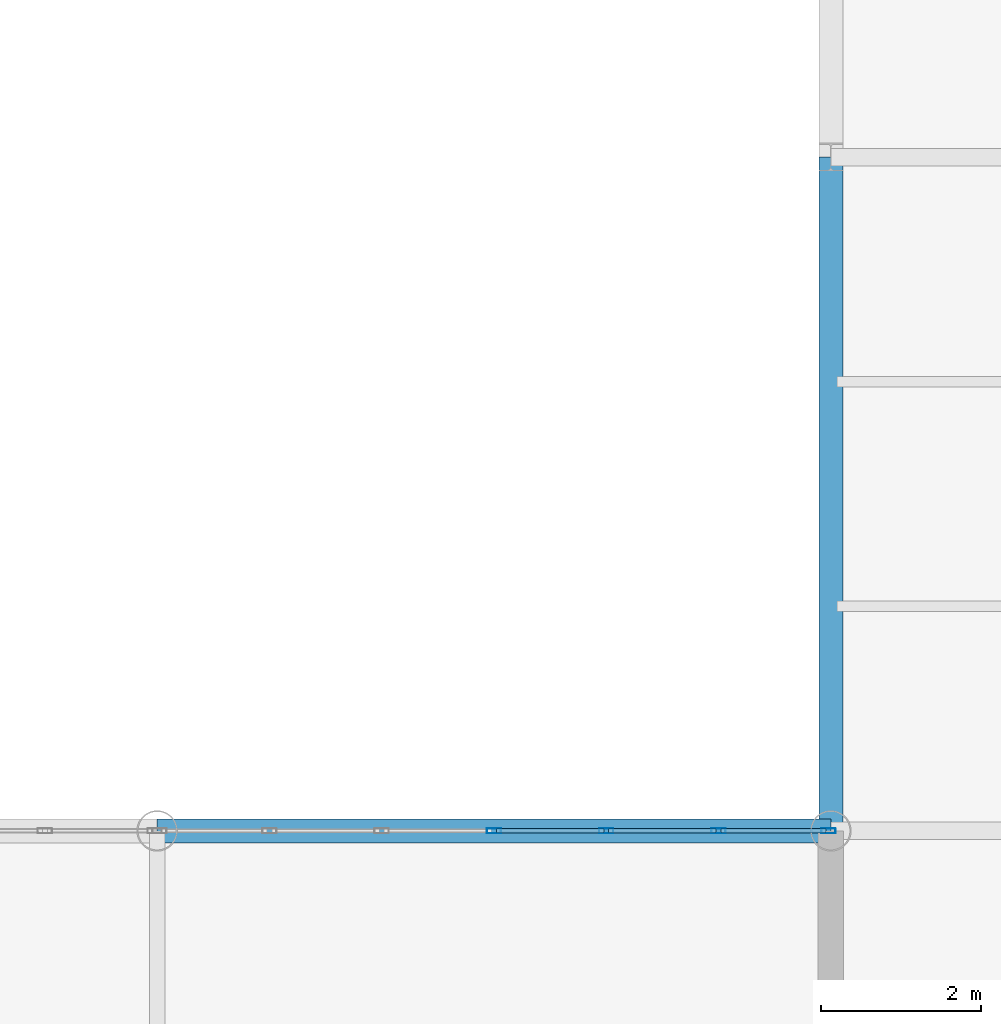
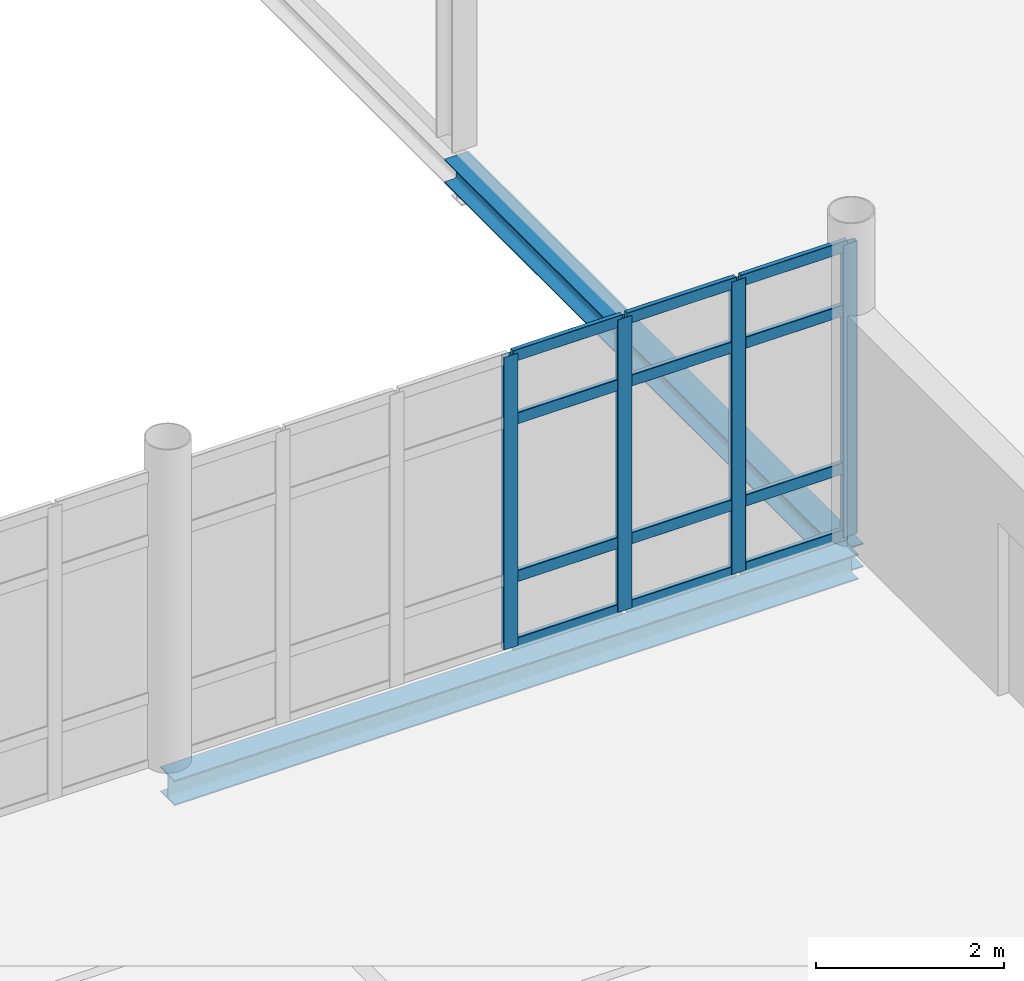
# One storey, part 71 of 163: 16 members, 2 beams, 1 element without a shape of its own.
"""IFC4 building model written with IfcOpenShell, lengths in metres."""

import ifcopenshell
import ifcopenshell.guid

model = None  # the IFC model being written
_history = None  # IfcOwnerHistory: only IFC2X3 demands one
_inside = {}  # id of a spatial element -> (the spatial element, [elements in it])
_under = {}  # id of a project, library or spatial element -> (it, [spatial elements below it])
_declared = {}  # id of a project -> (the project, [libraries it declares])
_typed = {}  # id of a type object -> (the type object, [elements of that type])
_made_of = {}  # id of a material, layer set ... -> (it, [elements and type objects made of it])


def new_model(schema):
    """Start an empty IFC model of exactly this schema.

    Asked for "IFC4X3", IfcOpenShell would pick the latest addendum, in which some entities
    have other attributes; the version numbers below select the first issue.
    IFC2X3 requires an IfcOwnerHistory on every rooted entity: one is made here for all.
    """
    global model, _history
    if schema == "IFC4X3":
        model = ifcopenshell.file(schema_version=(4, 3, 0, 0))
    else:
        model = ifcopenshell.file(schema=schema)
    _inside.clear()
    _under.clear()
    _declared.clear()
    _typed.clear()
    _made_of.clear()
    _history = None
    if model.schema == "IFC2X3":
        org = make("IfcOrganization", Name="unknown")
        user = make(
            "IfcPersonAndOrganization",
            ThePerson=make("IfcPerson", FamilyName="unknown"),
            TheOrganization=org,
        )
        app = make(
            "IfcApplication",
            ApplicationDeveloper=org,
            Version="unknown",
            ApplicationFullName="unknown",
            ApplicationIdentifier="unknown",
        )
        _history = make(
            "IfcOwnerHistory",
            OwningUser=user,
            OwningApplication=app,
            ChangeAction="ADDED",
            CreationDate=0,
        )
    return model


def make(cls, **values):
    """One entity of the class cls with the attributes given. An attribute that is None is left unset."""
    return model.create_entity(
        cls, **{name: value for name, value in values.items() if value is not None}
    )


def rooted(cls, **values):
    """An entity with a GlobalId (a new one), such as an element, a storey or a relation."""
    return make(cls, GlobalId=ifcopenshell.guid.new(), OwnerHistory=_history, **values)


def si_unit(unit_type, name, prefix=None):
    """IfcSIUnit, for example si_unit("LENGTHUNIT", "METRE", prefix="MILLI")."""
    return make("IfcSIUnit", UnitType=unit_type, Prefix=prefix, Name=name)


def assignment(units):
    """IfcUnitAssignment: the units of a project."""
    return None if units is None else make("IfcUnitAssignment", Units=units)


def point(xyz):
    """IfcCartesianPoint."""
    return None if xyz is None else make("IfcCartesianPoint", Coordinates=xyz)


def direction(xyz):
    """IfcDirection."""
    return None if xyz is None else make("IfcDirection", DirectionRatios=xyz)


def frame(location, z_axis=None, x_axis=None):
    """IfcAxis2Placement3D, a coordinate frame: its origin and axes. An axis left out is left unset."""
    return make(
        "IfcAxis2Placement3D",
        Location=point(location),
        Axis=direction(z_axis),
        RefDirection=direction(x_axis),
    )


def frame_2d(location, x_axis=None):
    """IfcAxis2Placement2D, a coordinate frame in the plane: its origin and x axis."""
    return make(
        "IfcAxis2Placement2D", Location=point(location), RefDirection=direction(x_axis)
    )


def origin():
    """The frame at (0, 0, 0) with its axes left unset."""
    return frame((0.0, 0.0, 0.0))


def origin_2d():
    """The frame at (0, 0) in the plane with its x axis left unset."""
    return frame_2d((0.0, 0.0))


def place(relative_to, where):
    """IfcLocalPlacement: puts the frame where relative to a parent placement (None: the world)."""
    return make(
        "IfcLocalPlacement", PlacementRelTo=relative_to, RelativePlacement=where
    )


def context(
    kind, dimensions, precision=None, world=None, true_north=None, identifier=None
):
    """IfcGeometricRepresentationContext, for example the 3D "Model" context."""
    return make(
        "IfcGeometricRepresentationContext",
        ContextIdentifier=identifier,
        ContextType=kind,
        CoordinateSpaceDimension=dimensions,
        Precision=precision,
        WorldCoordinateSystem=world,
        TrueNorth=true_north,
    )


def subcontext(parent, identifier, kind, view, scale=None):
    """IfcGeometricRepresentationSubContext, for example "Body" below "Model"."""
    return make(
        "IfcGeometricRepresentationSubContext",
        ContextIdentifier=identifier,
        ContextType=kind,
        ParentContext=parent,
        TargetScale=scale,
        TargetView=view,
    )


def project(units=None, contexts=None):
    """IfcProject with its units and contexts."""
    return rooted(
        "IfcProject",
        Name="project",
        RepresentationContexts=contexts,
        UnitsInContext=assignment(units),
    )


def spatial(cls, under=None, at=None, **own):
    """A site, building, storey or space (cls), placed at a placement, below another one or the project."""
    s = rooted(cls, ObjectPlacement=at, **own)
    if under is not None:
        _under.setdefault(under.id(), (under, []))[1].append(s)
    return s


def profile(cls, at=None, kind="AREA", **sizes):
    """A parametric profile (cls). Its sizes go by their IFC names, for example OverallWidth=200.0."""
    return make(cls, ProfileType=kind, Position=at, **sizes)


def hollow_rectangle(**sizes):
    """IfcRectangleHollowProfileDef."""
    return profile("IfcRectangleHollowProfileDef", **sizes)


def i_section(**sizes):
    """IfcIShapeProfileDef."""
    return profile("IfcIShapeProfileDef", **sizes)


def extrude(swept, where, along, depth):
    """IfcExtrudedAreaSolid: the profile swept, set in the frame where, extruded along a direction by depth."""
    return make(
        "IfcExtrudedAreaSolid",
        SweptArea=swept,
        Position=where,
        ExtrudedDirection=direction(along),
        Depth=depth,
    )


def shape(context_of_items, identifier, shape_type, items):
    """IfcShapeRepresentation: the items that make up one representation, for example the "Body"."""
    return make(
        "IfcShapeRepresentation",
        ContextOfItems=context_of_items,
        RepresentationIdentifier=identifier,
        RepresentationType=shape_type,
        Items=items,
    )


def material(Name=None, Category=None):
    """IfcMaterial."""
    return make("IfcMaterial", Name=Name, Category=Category)


def layer(
    of_material, thickness, ventilated=None, Name=None, Category=None, Priority=None
):
    """IfcMaterialLayer: one layer of a wall or slab, of a material (None: an air gap)."""
    return make(
        "IfcMaterialLayer",
        Material=of_material,
        LayerThickness=thickness,
        IsVentilated=ventilated,
        Name=Name,
        Category=Category,
        Priority=Priority,
    )


def layer_set(layers, Name=None):
    """IfcMaterialLayerSet."""
    return make("IfcMaterialLayerSet", MaterialLayers=layers, LayerSetName=Name)


def material_profile(
    of_material, cross_section, Name=None, Category=None, Priority=None
):
    """IfcMaterialProfile: a cross section and its material."""
    return make(
        "IfcMaterialProfile",
        Name=Name,
        Material=of_material,
        Profile=cross_section,
        Priority=Priority,
        Category=Category,
    )


def profile_set(profiles, Name=None, composite=None):
    """IfcMaterialProfileSet."""
    return make(
        "IfcMaterialProfileSet",
        Name=Name,
        MaterialProfiles=profiles,
        CompositeProfile=composite,
    )


def made_of(thing, what):
    """Note that an element or type object is made of a material, layer set ...; save() writes the relation."""
    if what is not None:
        _made_of.setdefault(what.id(), (what, []))[1].append(thing)
    return thing


def type_object(cls, material=None, **own):
    """A type object (cls), such as IfcWallType, which elements share."""
    return made_of(rooted(cls, **own), material)


def element(
    cls,
    number,
    at=None,
    inside=None,
    cuts=None,
    type_object=None,
    material=None,
    context=None,
    identifier="Body",
    shape_type=None,
    held_by="IfcProductDefinitionShape",
    body=None,
    shapes=None,
    **own,
):
    """One element of the class cls, such as IfcWall. Its Tag is "e" and its number.

    at: its placement. inside: the storey or other place that contains it. cuts: it is an
    opening in that element (IfcRelVoidsElement). A single representation is given by context,
    identifier, shape_type and body (its items); several are given by shapes. held_by: the class
    of the entity that holds the representations. save() writes the other relations.
    """
    e = rooted(cls, Tag="e%d" % number, ObjectPlacement=at, **own)
    if body is not None:
        shapes = [shape(context, identifier, shape_type, body)]
    if shapes is not None:
        e.Representation = make(held_by, Representations=shapes)
    if inside is not None:
        _inside.setdefault(inside.id(), (inside, []))[1].append(e)
    if cuts is not None:
        rooted(
            "IfcRelVoidsElement", RelatingBuildingElement=cuts, RelatedOpeningElement=e
        )
    if type_object is not None:
        _typed.setdefault(type_object.id(), (type_object, []))[1].append(e)
    return made_of(e, material)


def aggregate(whole, parts):
    """IfcRelAggregates: a whole, such as a stair, and the parts it consists of."""
    return rooted("IfcRelAggregates", RelatingObject=whole, RelatedObjects=parts)


def save(model, path):
    """Write the relations noted so far, then the file.

    IfcRelAggregates (storeys below a building ...), IfcRelContainedInSpatialStructure (elements
    in a storey), IfcRelDefinesByType, IfcRelAssociatesMaterial and IfcRelDeclares: one each for
    every whole, place, type object, material and project.
    """
    for whole, parts in _under.values():
        aggregate(whole, parts)
    for where, things in _inside.values():
        rooted(
            "IfcRelContainedInSpatialStructure",
            RelatedElements=things,
            RelatingStructure=where,
        )
    for kind, things in _typed.values():
        rooted("IfcRelDefinesByType", RelatedObjects=things, RelatingType=kind)
    for what, things in _made_of.values():
        rooted("IfcRelAssociatesMaterial", RelatedObjects=things, RelatingMaterial=what)
    for by, libraries in _declared.values():
        rooted("IfcRelDeclares", RelatingContext=by, RelatedDefinitions=libraries)
    model.write(path)


model = new_model("IFC4")

# Units and contexts
model_context = context("Model", 3, precision=1e-05, world=origin(), true_north=direction((0.0, 1.0)))
body_context = subcontext(model_context, "Body", "Model", "MODEL_VIEW")
ifc_project = project(units=[si_unit("LENGTHUNIT", "METRE"), si_unit("AREAUNIT", "SQUARE_METRE"), si_unit("VOLUMEUNIT", "CUBIC_METRE"), si_unit("PLANEANGLEUNIT", "RADIAN"), si_unit("MASSUNIT", "GRAM", prefix="KILO")], contexts=[model_context])

# Site, building, storey
site_placement = place(None, origin())
site = spatial("IfcSite", under=ifc_project, at=site_placement, CompositionType="ELEMENT")
building_placement = place(site_placement, origin())
building = spatial("IfcBuilding", under=site, at=building_placement, Name="Qalvenar Corner Mobility Hub", CompositionType="ELEMENT")
storey_placement = place(building_placement, frame((0.0, 0.0, 4.800048828125)))
storey = spatial("IfcBuildingStorey", under=building, at=storey_placement, Name="L01", CompositionType="ELEMENT", Elevation=4.800048828125)

# Beams
ifc_material_1 = material(Name="Steel S355", Category="steel")
ifc_material_profile_1 = material_profile(ifc_material_1, i_section(OverallWidth=0.300048828125, OverallDepth=0.31005859375, WebThickness=0.009033203125, FlangeThickness=0.015380859375, FilletRadius=0.027099609375, at=origin_2d()), Name="HEA320")
ifc_profile_set_1 = profile_set([ifc_material_profile_1], Name="Steel S355")
beam_type_1 = type_object("IfcBeamType", Name="BM-SPN320", PredefinedType="SPANDREL", material=ifc_profile_set_1)
beam_1_placement = place(storey_placement, frame((109.199951171875, 33.60009765625, -0.3349609375), z_axis=(0.0, 1.0, 0.0), x_axis=(-1.0, 0.0, 0.0)))
element("IfcBeam", 1, at=beam_1_placement, inside=storey, type_object=beam_type_1, Name="Primary Steel Girder GY-1030", PredefinedType="SPANDREL", context=body_context, shape_type="SweptSolid", body=[
    extrude(i_section(OverallWidth=0.300048828125, OverallDepth=0.31005859375, WebThickness=0.009033203125, FlangeThickness=0.015380859375, FilletRadius=0.027099609375, at=origin_2d()), origin(), (0.0, 0.0, 1.0), 8.39990234375),
])
ifc_material_profile_2 = material_profile(ifc_material_1, i_section(OverallWidth=0.300048828125, OverallDepth=0.330078125, WebThickness=0.009521484375, FlangeThickness=0.0166015625, FilletRadius=0.027099609375, at=origin_2d()), Name="HEA340")
ifc_profile_set_2 = profile_set([ifc_material_profile_2], Name="Steel S355")
beam_type_2 = type_object("IfcBeamType", Name="BM-SPN340", PredefinedType="SPANDREL", material=ifc_profile_set_2)
beam_2_placement = place(storey_placement, frame((100.800048828125, 33.60009765625, -0.344970703125), z_axis=(1.0, 0.0, 0.0), x_axis=(0.0, 1.0, 0.0)))
element("IfcBeam", 2, at=beam_2_placement, inside=storey, type_object=beam_type_2, Name="Primary Steel Girder GX-0956", PredefinedType="SPANDREL", context=body_context, shape_type="SweptSolid", body=[
    extrude(i_section(OverallWidth=0.300048828125, OverallDepth=0.330078125, WebThickness=0.009521484375, FlangeThickness=0.0166015625, FilletRadius=0.027099609375, at=origin_2d()), origin(), (0.0, 0.0, 1.0), 8.39990234375),
])

# Curtain wall, members
ifc_material_2 = material(Name="Anodised Aluminium and Low-E Glazing", Category="aluminium")
ifc_layer = layer(ifc_material_2, 0.179931640625)
ifc_layer_set = layer_set([ifc_layer], Name="Anodised Aluminium and Low-E Glazing")
curtain_wall_type = type_object("IfcCurtainWallType", Name="CW-CONC-84X42", PredefinedType="NOTDEFINED", material=ifc_layer_set)
curtain_wall_placement = place(storey_placement, origin())
curtain_wall = element("IfcCurtainWall", 3, at=curtain_wall_placement, inside=storey, type_object=curtain_wall_type, Name="Glazed Curtain Wall CW-V1-L01-N6", PredefinedType="NOTDEFINED")
ifc_material_3 = material(Name="Anodised Aluminium 6063-T6", Category="aluminium")
ifc_material_profile_3 = material_profile(ifc_material_3, hollow_rectangle(XDim=0.06494140625, YDim=0.179931640625, WallThickness=0.00390625, InnerFilletRadius=0.00390625, OuterFilletRadius=0.008056640625, at=origin_2d()), Name="RHS180x65x4")
ifc_profile_set_3 = profile_set([ifc_material_profile_3], Name="Anodised Aluminium 6063-T6")
member_type_1 = type_object("IfcMemberType", Name="CW-MUL180", PredefinedType="MULLION", material=ifc_profile_set_3)
member_1_placement = place(storey_placement, frame((109.169921875, 33.60009765625, 0.0), z_axis=(0.0, 0.0, 1.0), x_axis=(0.0, -1.0, 0.0)))
member_1 = element("IfcMember", 4, at=member_1_placement, type_object=member_type_1, Name="CW-02 mullion 1", PredefinedType="MULLION", context=body_context, shape_type="SweptSolid", body=[
    extrude(hollow_rectangle(XDim=0.06494140625, YDim=0.179931640625, WallThickness=0.00390625, InnerFilletRadius=0.00390625, OuterFilletRadius=0.008056640625, at=origin_2d()), origin(), (0.0, 0.0, 1.0), 3.800048828125),
])
member_2_placement = place(storey_placement, frame((107.800048828125, 33.60009765625, 0.0), z_axis=(0.0, 0.0, 1.0), x_axis=(0.0, -1.0, 0.0)))
member_2 = element("IfcMember", 5, at=member_2_placement, type_object=member_type_1, Name="CW-02 mullion 2", PredefinedType="MULLION", context=body_context, shape_type="SweptSolid", body=[
    extrude(hollow_rectangle(XDim=0.06494140625, YDim=0.179931640625, WallThickness=0.00390625, InnerFilletRadius=0.00390625, OuterFilletRadius=0.008056640625, at=origin_2d()), origin(), (0.0, 0.0, 1.0), 3.800048828125),
])
member_3_placement = place(storey_placement, frame((106.39990234375, 33.60009765625, 0.0), z_axis=(0.0, 0.0, 1.0), x_axis=(0.0, -1.0, 0.0)))
member_3 = element("IfcMember", 6, at=member_3_placement, type_object=member_type_1, Name="CW-02 mullion 3", PredefinedType="MULLION", context=body_context, shape_type="SweptSolid", body=[
    extrude(hollow_rectangle(XDim=0.06494140625, YDim=0.179931640625, WallThickness=0.00390625, InnerFilletRadius=0.00390625, OuterFilletRadius=0.008056640625, at=origin_2d()), origin(), (0.0, 0.0, 1.0), 3.800048828125),
])
member_4_placement = place(storey_placement, frame((105.0, 33.60009765625, 0.0), z_axis=(0.0, 0.0, 1.0), x_axis=(0.0, -1.0, 0.0)))
member_4 = element("IfcMember", 7, at=member_4_placement, type_object=member_type_1, Name="CW-02 mullion 4", PredefinedType="MULLION", context=body_context, shape_type="SweptSolid", body=[
    extrude(hollow_rectangle(XDim=0.06494140625, YDim=0.179931640625, WallThickness=0.00390625, InnerFilletRadius=0.00390625, OuterFilletRadius=0.008056640625, at=origin_2d()), origin(), (0.0, 0.0, 1.0), 3.800048828125),
])
ifc_material_profile_4 = material_profile(ifc_material_3, hollow_rectangle(XDim=0.06005859375, YDim=0.14990234375, WallThickness=0.00341796875, InnerFilletRadius=0.00341796875, OuterFilletRadius=0.007080078125, at=origin_2d()), Name="RHS150x60x3.5")
ifc_profile_set_4 = profile_set([ifc_material_profile_4], Name="Anodised Aluminium 6063-T6")
member_type_2 = type_object("IfcMemberType", Name="CW-TRN150", PredefinedType="USERDEFINED", material=ifc_profile_set_4)
member_5_placement = place(storey_placement, frame((109.139892578125, 33.60009765625, 0.02734375), z_axis=(-1.0, 0.0, 0.0), x_axis=(0.0, -1.0, 0.0)))
member_5 = element("IfcMember", 8, at=member_5_placement, type_object=member_type_2, Name="CW-02 transom 1.1", ObjectType="TRANSOM", PredefinedType="USERDEFINED", context=body_context, shape_type="SweptSolid", body=[
    extrude(hollow_rectangle(XDim=0.06005859375, YDim=0.14990234375, WallThickness=0.00341796875, InnerFilletRadius=0.00341796875, OuterFilletRadius=0.007080078125, at=origin_2d()), origin(), (0.0, 0.0, 1.0), 1.309814453125),
])
member_6_placement = place(storey_placement, frame((109.139892578125, 33.60009765625, 0.89990234375), z_axis=(-1.0, 0.0, 0.0), x_axis=(0.0, -1.0, 0.0)))
member_6 = element("IfcMember", 9, at=member_6_placement, type_object=member_type_2, Name="CW-02 transom 1.2", ObjectType="TRANSOM", PredefinedType="USERDEFINED", context=body_context, shape_type="SweptSolid", body=[
    extrude(hollow_rectangle(XDim=0.06005859375, YDim=0.14990234375, WallThickness=0.00341796875, InnerFilletRadius=0.00341796875, OuterFilletRadius=0.007080078125, at=origin_2d()), origin(), (0.0, 0.0, 1.0), 1.309814453125),
])
member_7_placement = place(storey_placement, frame((109.139892578125, 33.60009765625, 2.949951171875), z_axis=(-1.0, 0.0, 0.0), x_axis=(0.0, -1.0, 0.0)))
member_7 = element("IfcMember", 10, at=member_7_placement, type_object=member_type_2, Name="CW-02 transom 1.3", ObjectType="TRANSOM", PredefinedType="USERDEFINED", context=body_context, shape_type="SweptSolid", body=[
    extrude(hollow_rectangle(XDim=0.06005859375, YDim=0.14990234375, WallThickness=0.00341796875, InnerFilletRadius=0.00341796875, OuterFilletRadius=0.007080078125, at=origin_2d()), origin(), (0.0, 0.0, 1.0), 1.309814453125),
])
member_8_placement = place(storey_placement, frame((109.139892578125, 33.60009765625, 3.7724609375), z_axis=(-1.0, 0.0, 0.0), x_axis=(0.0, -1.0, 0.0)))
member_8 = element("IfcMember", 11, at=member_8_placement, type_object=member_type_2, Name="CW-02 transom 1.4", ObjectType="TRANSOM", PredefinedType="USERDEFINED", context=body_context, shape_type="SweptSolid", body=[
    extrude(hollow_rectangle(XDim=0.06005859375, YDim=0.14990234375, WallThickness=0.00341796875, InnerFilletRadius=0.00341796875, OuterFilletRadius=0.007080078125, at=origin_2d()), origin(), (0.0, 0.0, 1.0), 1.309814453125),
])
member_9_placement = place(storey_placement, frame((107.77001953125, 33.60009765625, 0.02734375), z_axis=(-1.0, 0.0, 0.0), x_axis=(0.0, -1.0, 0.0)))
member_9 = element("IfcMember", 12, at=member_9_placement, type_object=member_type_2, Name="CW-02 transom 2.1", ObjectType="TRANSOM", PredefinedType="USERDEFINED", context=body_context, shape_type="SweptSolid", body=[
    extrude(hollow_rectangle(XDim=0.06005859375, YDim=0.14990234375, WallThickness=0.00341796875, InnerFilletRadius=0.00341796875, OuterFilletRadius=0.007080078125, at=origin_2d()), origin(), (0.0, 0.0, 1.0), 1.340087890625),
])
member_10_placement = place(storey_placement, frame((107.77001953125, 33.60009765625, 0.89990234375), z_axis=(-1.0, 0.0, 0.0), x_axis=(0.0, -1.0, 0.0)))
member_10 = element("IfcMember", 13, at=member_10_placement, type_object=member_type_2, Name="CW-02 transom 2.2", ObjectType="TRANSOM", PredefinedType="USERDEFINED", context=body_context, shape_type="SweptSolid", body=[
    extrude(hollow_rectangle(XDim=0.06005859375, YDim=0.14990234375, WallThickness=0.00341796875, InnerFilletRadius=0.00341796875, OuterFilletRadius=0.007080078125, at=origin_2d()), origin(), (0.0, 0.0, 1.0), 1.340087890625),
])
member_11_placement = place(storey_placement, frame((107.77001953125, 33.60009765625, 2.949951171875), z_axis=(-1.0, 0.0, 0.0), x_axis=(0.0, -1.0, 0.0)))
member_11 = element("IfcMember", 14, at=member_11_placement, type_object=member_type_2, Name="CW-02 transom 2.3", ObjectType="TRANSOM", PredefinedType="USERDEFINED", context=body_context, shape_type="SweptSolid", body=[
    extrude(hollow_rectangle(XDim=0.06005859375, YDim=0.14990234375, WallThickness=0.00341796875, InnerFilletRadius=0.00341796875, OuterFilletRadius=0.007080078125, at=origin_2d()), origin(), (0.0, 0.0, 1.0), 1.340087890625),
])
member_12_placement = place(storey_placement, frame((107.77001953125, 33.60009765625, 3.7724609375), z_axis=(-1.0, 0.0, 0.0), x_axis=(0.0, -1.0, 0.0)))
member_12 = element("IfcMember", 15, at=member_12_placement, type_object=member_type_2, Name="CW-02 transom 2.4", ObjectType="TRANSOM", PredefinedType="USERDEFINED", context=body_context, shape_type="SweptSolid", body=[
    extrude(hollow_rectangle(XDim=0.06005859375, YDim=0.14990234375, WallThickness=0.00341796875, InnerFilletRadius=0.00341796875, OuterFilletRadius=0.007080078125, at=origin_2d()), origin(), (0.0, 0.0, 1.0), 1.340087890625),
])
member_13_placement = place(storey_placement, frame((106.3701171875, 33.60009765625, 0.02734375), z_axis=(-1.0, 0.0, 0.0), x_axis=(0.0, -1.0, 0.0)))
member_13 = element("IfcMember", 16, at=member_13_placement, type_object=member_type_2, Name="CW-02 transom 3.1", ObjectType="TRANSOM", PredefinedType="USERDEFINED", context=body_context, shape_type="SweptSolid", body=[
    extrude(hollow_rectangle(XDim=0.06005859375, YDim=0.14990234375, WallThickness=0.00341796875, InnerFilletRadius=0.00341796875, OuterFilletRadius=0.007080078125, at=origin_2d()), origin(), (0.0, 0.0, 1.0), 1.340087890625),
])
member_14_placement = place(storey_placement, frame((106.3701171875, 33.60009765625, 0.89990234375), z_axis=(-1.0, 0.0, 0.0), x_axis=(0.0, -1.0, 0.0)))
member_14 = element("IfcMember", 17, at=member_14_placement, type_object=member_type_2, Name="CW-02 transom 3.2", ObjectType="TRANSOM", PredefinedType="USERDEFINED", context=body_context, shape_type="SweptSolid", body=[
    extrude(hollow_rectangle(XDim=0.06005859375, YDim=0.14990234375, WallThickness=0.00341796875, InnerFilletRadius=0.00341796875, OuterFilletRadius=0.007080078125, at=origin_2d()), origin(), (0.0, 0.0, 1.0), 1.340087890625),
])
member_15_placement = place(storey_placement, frame((106.3701171875, 33.60009765625, 2.949951171875), z_axis=(-1.0, 0.0, 0.0), x_axis=(0.0, -1.0, 0.0)))
member_15 = element("IfcMember", 18, at=member_15_placement, type_object=member_type_2, Name="CW-02 transom 3.3", ObjectType="TRANSOM", PredefinedType="USERDEFINED", context=body_context, shape_type="SweptSolid", body=[
    extrude(hollow_rectangle(XDim=0.06005859375, YDim=0.14990234375, WallThickness=0.00341796875, InnerFilletRadius=0.00341796875, OuterFilletRadius=0.007080078125, at=origin_2d()), origin(), (0.0, 0.0, 1.0), 1.340087890625),
])
member_16_placement = place(storey_placement, frame((106.3701171875, 33.60009765625, 3.7724609375), z_axis=(-1.0, 0.0, 0.0), x_axis=(0.0, -1.0, 0.0)))
member_16 = element("IfcMember", 19, at=member_16_placement, type_object=member_type_2, Name="CW-02 transom 3.4", ObjectType="TRANSOM", PredefinedType="USERDEFINED", context=body_context, shape_type="SweptSolid", body=[
    extrude(hollow_rectangle(XDim=0.06005859375, YDim=0.14990234375, WallThickness=0.00341796875, InnerFilletRadius=0.00341796875, OuterFilletRadius=0.007080078125, at=origin_2d()), origin(), (0.0, 0.0, 1.0), 1.340087890625),
])
aggregate(curtain_wall, [member_1, member_2, member_3, member_4, member_5, member_6, member_7, member_8, member_9, member_10, member_11, member_12, member_13, member_14, member_15, member_16])

save(model, "model.ifc")
